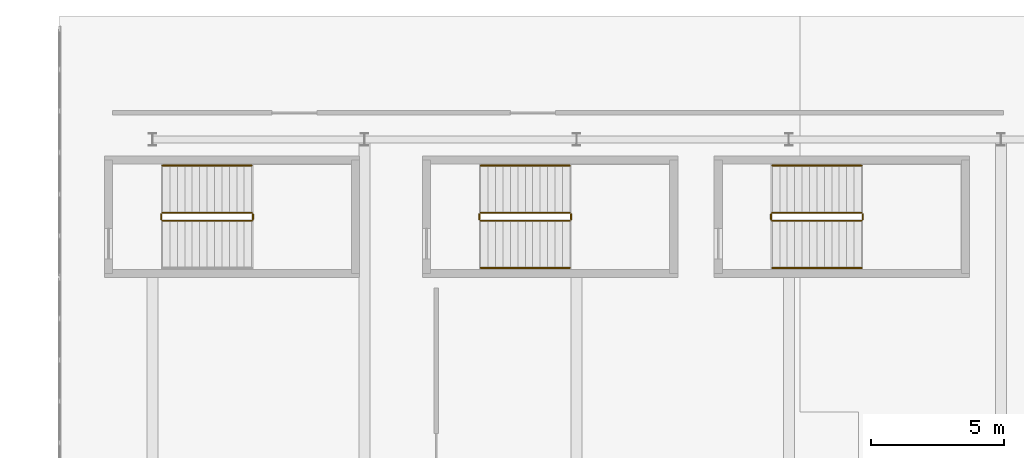
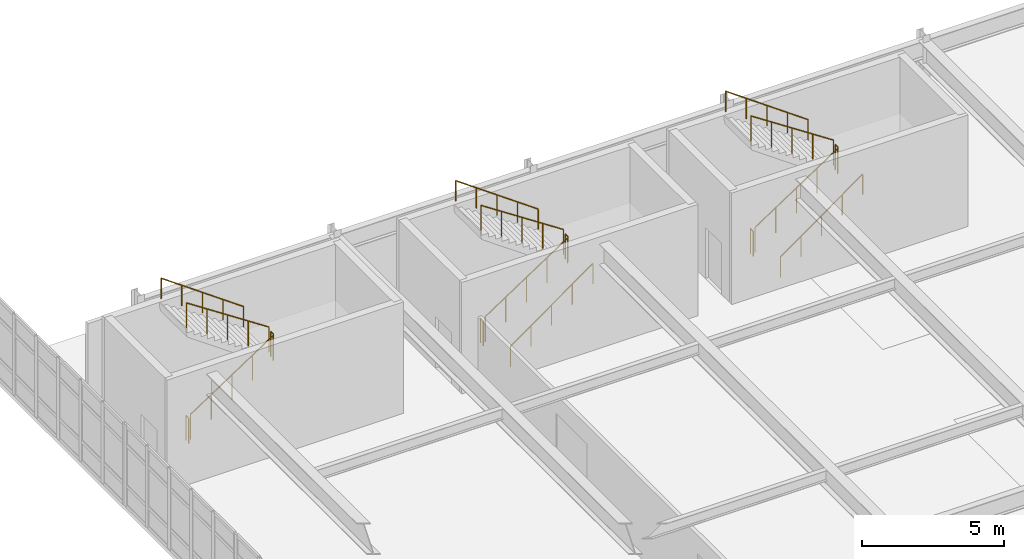
# One storey, part 51 of 54: 17 railings.
"""IFC4 building model written with IfcOpenShell, lengths in metres."""

from ifc_helpers import new_model, si_unit, direction, frame, origin, origin_2d, place, context, subcontext, project, spatial, circle, extrude, material, type_object, element, save


model = new_model("IFC4")

# Units and contexts
model_context = context("Model", 3, precision=1e-05, world=origin(), true_north=direction((0.0, 1.0)))
body_context = subcontext(model_context, "Body", "Model", "MODEL_VIEW")
ifc_project = project(units=[si_unit("LENGTHUNIT", "METRE"), si_unit("AREAUNIT", "SQUARE_METRE"), si_unit("VOLUMEUNIT", "CUBIC_METRE"), si_unit("PLANEANGLEUNIT", "RADIAN"), si_unit("MASSUNIT", "GRAM", prefix="KILO")], contexts=[model_context])

# Site, building, storey
site_placement = place(None, origin())
site = spatial("IfcSite", under=ifc_project, at=site_placement, CompositionType="ELEMENT")
building_placement = place(site_placement, origin())
building = spatial("IfcBuilding", under=site, at=building_placement, Name="Tlacozan Convention Centre", CompositionType="ELEMENT")
storey_placement = place(building_placement, frame((0.0, 0.0, 11.39990234375)))
storey = spatial("IfcBuildingStorey", under=building, at=storey_placement, Name="L02", CompositionType="ELEMENT", Elevation=11.39990234375)

# Railings
ifc_material = material(Name="Architectural Painted Galvanised Steel Railing", Category="steel")
railing_type_1 = type_object("IfcRailingType", Name="Stair Wall Handrail 900", PredefinedType="HANDRAIL", material=ifc_material)
railing_1_placement = place(storey_placement, frame((95.239990234375, 56.2099609375, 2.584716796875)))
element("IfcRailing", 1, at=railing_1_placement, inside=storey, type_object=railing_type_1, Name="L02 ST-06 stair handrail 2", PredefinedType="HANDRAIL", context=body_context, shape_type="SweptSolid", body=[
    extrude(circle(Radius=0.02392578125, at=origin_2d()), frame((0.0, 0.0, 0.8759765625), z_axis=(-0.813753445783, 0.0, 0.581210228297), x_axis=(0.0, -1.0, 0.0)), (0.0, 0.0, 1.0), 4.129150390625),
    extrude(circle(Radius=0.02099609375, at=origin_2d()), origin(), (0.0, 0.0, 1.0), 0.851806640625),
    extrude(circle(Radius=0.02099609375, at=origin_2d()), frame((-0.840087890625, 0.0, 0.60009765625)), (0.0, 0.0, 1.0), 0.851806640625),
    extrude(circle(Radius=0.02099609375, at=origin_2d()), frame((-1.68017578125, 0.0, 1.199951171875)), (0.0, 0.0, 1.0), 0.851806640625),
    extrude(circle(Radius=0.02099609375, at=origin_2d()), frame((-2.52001953125, 0.0, 1.7998046875)), (0.0, 0.0, 1.0), 0.851806640625),
    extrude(circle(Radius=0.02099609375, at=origin_2d()), frame((-3.360107421875, 0.0, 2.39990234375)), (0.0, 0.0, 1.0), 0.851806640625),
])
railing_2_placement = place(storey_placement, frame((103.8798828125, 52.35009765625, 0.184814453125)))
element("IfcRailing", 2, at=railing_2_placement, inside=storey, type_object=railing_type_1, Name="L02 ST-17 stair handrail 1", PredefinedType="HANDRAIL", context=body_context, shape_type="SweptSolid", body=[
    extrude(circle(Radius=0.02392578125, at=origin_2d()), frame((0.0, 0.0, 0.8759765625), z_axis=(0.813753445783, 0.0, 0.581210228297), x_axis=(0.0, 1.0, 0.0)), (0.0, 0.0, 1.0), 4.129150390625),
    extrude(circle(Radius=0.02099609375, at=origin_2d()), origin(), (0.0, 0.0, 1.0), 0.851806640625),
    extrude(circle(Radius=0.02099609375, at=origin_2d()), frame((0.840087890625, 0.0, 0.60009765625)), (0.0, 0.0, 1.0), 0.851806640625),
    extrude(circle(Radius=0.02099609375, at=origin_2d()), frame((1.68017578125, 0.0, 1.199951171875)), (0.0, 0.0, 1.0), 0.851806640625),
    extrude(circle(Radius=0.02099609375, at=origin_2d()), frame((2.52001953125, 0.0, 1.7998046875)), (0.0, 0.0, 1.0), 0.851806640625),
    extrude(circle(Radius=0.02099609375, at=origin_2d()), frame((3.360107421875, 0.0, 2.39990234375)), (0.0, 0.0, 1.0), 0.851806640625),
])
railing_3_placement = place(storey_placement, frame((107.239990234375, 56.2099609375, 2.584716796875)))
element("IfcRailing", 3, at=railing_3_placement, inside=storey, type_object=railing_type_1, Name="L02 ST-17 stair handrail 2", PredefinedType="HANDRAIL", context=body_context, shape_type="SweptSolid", body=[
    extrude(circle(Radius=0.02392578125, at=origin_2d()), frame((0.0, 0.0, 0.8759765625), z_axis=(-0.813753445783, 0.0, 0.581210228297), x_axis=(0.0, -1.0, 0.0)), (0.0, 0.0, 1.0), 4.129150390625),
    extrude(circle(Radius=0.02099609375, at=origin_2d()), origin(), (0.0, 0.0, 1.0), 0.851806640625),
    extrude(circle(Radius=0.02099609375, at=origin_2d()), frame((-0.840087890625, 0.0, 0.60009765625)), (0.0, 0.0, 1.0), 0.851806640625),
    extrude(circle(Radius=0.02099609375, at=origin_2d()), frame((-1.68017578125, 0.0, 1.199951171875)), (0.0, 0.0, 1.0), 0.851806640625),
    extrude(circle(Radius=0.02099609375, at=origin_2d()), frame((-2.52001953125, 0.0, 1.7998046875)), (0.0, 0.0, 1.0), 0.851806640625),
    extrude(circle(Radius=0.02099609375, at=origin_2d()), frame((-3.360107421875, 0.0, 2.39990234375)), (0.0, 0.0, 1.0), 0.851806640625),
])
railing_4_placement = place(storey_placement, frame((114.8798828125, 52.35009765625, 0.184814453125)))
element("IfcRailing", 4, at=railing_4_placement, inside=storey, type_object=railing_type_1, Name="L02 ST-18 stair handrail 1", PredefinedType="HANDRAIL", context=body_context, shape_type="SweptSolid", body=[
    extrude(circle(Radius=0.02392578125, at=origin_2d()), frame((0.0, 0.0, 0.8759765625), z_axis=(0.813753445783, 0.0, 0.581210228297), x_axis=(0.0, 1.0, 0.0)), (0.0, 0.0, 1.0), 4.129150390625),
    extrude(circle(Radius=0.02099609375, at=origin_2d()), origin(), (0.0, 0.0, 1.0), 0.851806640625),
    extrude(circle(Radius=0.02099609375, at=origin_2d()), frame((0.840087890625, 0.0, 0.60009765625)), (0.0, 0.0, 1.0), 0.851806640625),
    extrude(circle(Radius=0.02099609375, at=origin_2d()), frame((1.68017578125, 0.0, 1.199951171875)), (0.0, 0.0, 1.0), 0.851806640625),
    extrude(circle(Radius=0.02099609375, at=origin_2d()), frame((2.52001953125, 0.0, 1.7998046875)), (0.0, 0.0, 1.0), 0.851806640625),
    extrude(circle(Radius=0.02099609375, at=origin_2d()), frame((3.360107421875, 0.0, 2.39990234375)), (0.0, 0.0, 1.0), 0.851806640625),
])
railing_5_placement = place(storey_placement, frame((118.239990234375, 56.2099609375, 2.584716796875)))
element("IfcRailing", 5, at=railing_5_placement, inside=storey, type_object=railing_type_1, Name="L02 ST-18 stair handrail 2", PredefinedType="HANDRAIL", context=body_context, shape_type="SweptSolid", body=[
    extrude(circle(Radius=0.02392578125, at=origin_2d()), frame((0.0, 0.0, 0.8759765625), z_axis=(-0.813753445783, 0.0, 0.581210228297), x_axis=(0.0, -1.0, 0.0)), (0.0, 0.0, 1.0), 4.129150390625),
    extrude(circle(Radius=0.02099609375, at=origin_2d()), origin(), (0.0, 0.0, 1.0), 0.851806640625),
    extrude(circle(Radius=0.02099609375, at=origin_2d()), frame((-0.840087890625, 0.0, 0.60009765625)), (0.0, 0.0, 1.0), 0.851806640625),
    extrude(circle(Radius=0.02099609375, at=origin_2d()), frame((-1.68017578125, 0.0, 1.199951171875)), (0.0, 0.0, 1.0), 0.851806640625),
    extrude(circle(Radius=0.02099609375, at=origin_2d()), frame((-2.52001953125, 0.0, 1.7998046875)), (0.0, 0.0, 1.0), 0.851806640625),
    extrude(circle(Radius=0.02099609375, at=origin_2d()), frame((-3.360107421875, 0.0, 2.39990234375)), (0.0, 0.0, 1.0), 0.851806640625),
])
railing_type_2 = type_object("IfcRailingType", Name="Stair Well Guardrail 1100", PredefinedType="GUARDRAIL", material=ifc_material)
railing_6_placement = place(storey_placement, frame((91.8798828125, 54.1298828125, 0.184814453125)))
element("IfcRailing", 6, at=railing_6_placement, inside=storey, type_object=railing_type_2, Name="L02 ST-06 stair guard 1", PredefinedType="GUARDRAIL", context=body_context, shape_type="SweptSolid", body=[
    extrude(circle(Radius=0.02392578125, at=origin_2d()), frame((0.0, 0.0, 1.076171875), z_axis=(0.834876476806, 0.0, 0.550437342915), x_axis=(0.0, 1.0, 0.0)), (0.0, 0.0, 1.0), 4.024658203125),
    extrude(circle(Radius=0.02099609375, at=origin_2d()), origin(), (0.0, 0.0, 1.0), 1.052001953125),
    extrude(circle(Radius=0.02099609375, at=origin_2d()), frame((0.840087890625, 0.0, 0.5537109375)), (0.0, 0.0, 1.0), 1.052001953125),
    extrude(circle(Radius=0.02099609375, at=origin_2d()), frame((1.68017578125, 0.0, 1.107666015625)), (0.0, 0.0, 1.0), 1.052001953125),
    extrude(circle(Radius=0.02099609375, at=origin_2d()), frame((2.52001953125, 0.0, 1.66162109375)), (0.0, 0.0, 1.0), 1.052001953125),
    extrude(circle(Radius=0.02099609375, at=origin_2d()), frame((3.360107421875, 0.0, 2.21533203125)), (0.0, 0.0, 1.0), 1.052001953125),
])
railing_7_placement = place(storey_placement, frame((95.2900390625, 54.179931640625, 2.400146484375)))
element("IfcRailing", 7, at=railing_7_placement, inside=storey, type_object=railing_type_2, Name="L02 ST-06 stair guard 2", PredefinedType="GUARDRAIL", context=body_context, shape_type="SweptSolid", body=[
    extrude(circle(Radius=0.02392578125, at=origin_2d()), frame((0.0, 0.0, 1.076171875), z_axis=(0.0, 1.0, 0.0), x_axis=(-1.0, 0.0, 0.0)), (0.0, 0.0, 1.0), 0.199951171875),
    extrude(circle(Radius=0.02099609375, at=origin_2d()), origin(), (0.0, 0.0, 1.0), 1.052001953125),
    extrude(circle(Radius=0.02099609375, at=origin_2d()), frame((0.0, 0.199951171875, 0.0)), (0.0, 0.0, 1.0), 1.052001953125),
])
railing_8_placement = place(storey_placement, frame((95.239990234375, 54.429931640625, 2.584716796875)))
element("IfcRailing", 8, at=railing_8_placement, inside=storey, type_object=railing_type_2, Name="L02 ST-06 stair guard 3", PredefinedType="GUARDRAIL", context=body_context, shape_type="SweptSolid", body=[
    extrude(circle(Radius=0.02392578125, at=origin_2d()), frame((0.0, 0.0, 1.076171875), z_axis=(-0.834876476806, 0.0, 0.550437342915), x_axis=(0.0, -1.0, 0.0)), (0.0, 0.0, 1.0), 4.024658203125),
    extrude(circle(Radius=0.02099609375, at=origin_2d()), origin(), (0.0, 0.0, 1.0), 1.052001953125),
    extrude(circle(Radius=0.02099609375, at=origin_2d()), frame((-0.840087890625, 0.0, 0.5537109375)), (0.0, 0.0, 1.0), 1.052001953125),
    extrude(circle(Radius=0.02099609375, at=origin_2d()), frame((-1.68017578125, 0.0, 1.107666015625)), (0.0, 0.0, 1.0), 1.052001953125),
    extrude(circle(Radius=0.02099609375, at=origin_2d()), frame((-2.52001953125, 0.0, 1.66162109375)), (0.0, 0.0, 1.0), 1.052001953125),
    extrude(circle(Radius=0.02099609375, at=origin_2d()), frame((-3.360107421875, 0.0, 2.21533203125)), (0.0, 0.0, 1.0), 1.052001953125),
])
railing_9_placement = place(storey_placement, frame((91.830078125, 54.179931640625, 0.0)))
element("IfcRailing", 9, at=railing_9_placement, inside=storey, type_object=railing_type_2, Name="L02 ST-06 stair guard 4", PredefinedType="GUARDRAIL", context=body_context, shape_type="SweptSolid", body=[
    extrude(circle(Radius=0.02392578125, at=origin_2d()), frame((0.0, 0.0, 1.076171875), z_axis=(0.0, 1.0, 0.0), x_axis=(-1.0, 0.0, 0.0)), (0.0, 0.0, 1.0), 0.199951171875),
    extrude(circle(Radius=0.02099609375, at=origin_2d()), origin(), (0.0, 0.0, 1.0), 1.052001953125),
    extrude(circle(Radius=0.02099609375, at=origin_2d()), frame((0.0, 0.199951171875, 0.0)), (0.0, 0.0, 1.0), 1.052001953125),
])
railing_10_placement = place(storey_placement, frame((103.8798828125, 54.1298828125, 0.184814453125)))
element("IfcRailing", 10, at=railing_10_placement, inside=storey, type_object=railing_type_2, Name="L02 ST-17 stair guard 1", PredefinedType="GUARDRAIL", context=body_context, shape_type="SweptSolid", body=[
    extrude(circle(Radius=0.02392578125, at=origin_2d()), frame((0.0, 0.0, 1.076171875), z_axis=(0.834876476806, 0.0, 0.550437342915), x_axis=(0.0, 1.0, 0.0)), (0.0, 0.0, 1.0), 4.024658203125),
    extrude(circle(Radius=0.02099609375, at=origin_2d()), origin(), (0.0, 0.0, 1.0), 1.052001953125),
    extrude(circle(Radius=0.02099609375, at=origin_2d()), frame((0.840087890625, 0.0, 0.5537109375)), (0.0, 0.0, 1.0), 1.052001953125),
    extrude(circle(Radius=0.02099609375, at=origin_2d()), frame((1.68017578125, 0.0, 1.107666015625)), (0.0, 0.0, 1.0), 1.052001953125),
    extrude(circle(Radius=0.02099609375, at=origin_2d()), frame((2.52001953125, 0.0, 1.66162109375)), (0.0, 0.0, 1.0), 1.052001953125),
    extrude(circle(Radius=0.02099609375, at=origin_2d()), frame((3.360107421875, 0.0, 2.21533203125)), (0.0, 0.0, 1.0), 1.052001953125),
])
railing_11_placement = place(storey_placement, frame((107.2900390625, 54.179931640625, 2.400146484375)))
element("IfcRailing", 11, at=railing_11_placement, inside=storey, type_object=railing_type_2, Name="L02 ST-17 stair guard 2", PredefinedType="GUARDRAIL", context=body_context, shape_type="SweptSolid", body=[
    extrude(circle(Radius=0.02392578125, at=origin_2d()), frame((0.0, 0.0, 1.076171875), z_axis=(0.0, 1.0, 0.0), x_axis=(-1.0, 0.0, 0.0)), (0.0, 0.0, 1.0), 0.199951171875),
    extrude(circle(Radius=0.02099609375, at=origin_2d()), origin(), (0.0, 0.0, 1.0), 1.052001953125),
    extrude(circle(Radius=0.02099609375, at=origin_2d()), frame((0.0, 0.199951171875, 0.0)), (0.0, 0.0, 1.0), 1.052001953125),
])
railing_12_placement = place(storey_placement, frame((107.239990234375, 54.429931640625, 2.584716796875)))
element("IfcRailing", 12, at=railing_12_placement, inside=storey, type_object=railing_type_2, Name="L02 ST-17 stair guard 3", PredefinedType="GUARDRAIL", context=body_context, shape_type="SweptSolid", body=[
    extrude(circle(Radius=0.02392578125, at=origin_2d()), frame((0.0, 0.0, 1.076171875), z_axis=(-0.834876476806, 0.0, 0.550437342915), x_axis=(0.0, -1.0, 0.0)), (0.0, 0.0, 1.0), 4.024658203125),
    extrude(circle(Radius=0.02099609375, at=origin_2d()), origin(), (0.0, 0.0, 1.0), 1.052001953125),
    extrude(circle(Radius=0.02099609375, at=origin_2d()), frame((-0.840087890625, 0.0, 0.5537109375)), (0.0, 0.0, 1.0), 1.052001953125),
    extrude(circle(Radius=0.02099609375, at=origin_2d()), frame((-1.68017578125, 0.0, 1.107666015625)), (0.0, 0.0, 1.0), 1.052001953125),
    extrude(circle(Radius=0.02099609375, at=origin_2d()), frame((-2.52001953125, 0.0, 1.66162109375)), (0.0, 0.0, 1.0), 1.052001953125),
    extrude(circle(Radius=0.02099609375, at=origin_2d()), frame((-3.360107421875, 0.0, 2.21533203125)), (0.0, 0.0, 1.0), 1.052001953125),
])
railing_13_placement = place(storey_placement, frame((103.830078125, 54.179931640625, 0.0)))
element("IfcRailing", 13, at=railing_13_placement, inside=storey, type_object=railing_type_2, Name="L02 ST-17 stair guard 4", PredefinedType="GUARDRAIL", context=body_context, shape_type="SweptSolid", body=[
    extrude(circle(Radius=0.02392578125, at=origin_2d()), frame((0.0, 0.0, 1.076171875), z_axis=(0.0, 1.0, 0.0), x_axis=(-1.0, 0.0, 0.0)), (0.0, 0.0, 1.0), 0.199951171875),
    extrude(circle(Radius=0.02099609375, at=origin_2d()), origin(), (0.0, 0.0, 1.0), 1.052001953125),
    extrude(circle(Radius=0.02099609375, at=origin_2d()), frame((0.0, 0.199951171875, 0.0)), (0.0, 0.0, 1.0), 1.052001953125),
])
railing_14_placement = place(storey_placement, frame((114.8798828125, 54.1298828125, 0.184814453125)))
element("IfcRailing", 14, at=railing_14_placement, inside=storey, type_object=railing_type_2, Name="L02 ST-18 stair guard 1", PredefinedType="GUARDRAIL", context=body_context, shape_type="SweptSolid", body=[
    extrude(circle(Radius=0.02392578125, at=origin_2d()), frame((0.0, 0.0, 1.076171875), z_axis=(0.834876476806, 0.0, 0.550437342915), x_axis=(0.0, 1.0, 0.0)), (0.0, 0.0, 1.0), 4.024658203125),
    extrude(circle(Radius=0.02099609375, at=origin_2d()), origin(), (0.0, 0.0, 1.0), 1.052001953125),
    extrude(circle(Radius=0.02099609375, at=origin_2d()), frame((0.840087890625, 0.0, 0.5537109375)), (0.0, 0.0, 1.0), 1.052001953125),
    extrude(circle(Radius=0.02099609375, at=origin_2d()), frame((1.68017578125, 0.0, 1.107666015625)), (0.0, 0.0, 1.0), 1.052001953125),
    extrude(circle(Radius=0.02099609375, at=origin_2d()), frame((2.52001953125, 0.0, 1.66162109375)), (0.0, 0.0, 1.0), 1.052001953125),
    extrude(circle(Radius=0.02099609375, at=origin_2d()), frame((3.360107421875, 0.0, 2.21533203125)), (0.0, 0.0, 1.0), 1.052001953125),
])
railing_15_placement = place(storey_placement, frame((118.2900390625, 54.179931640625, 2.400146484375)))
element("IfcRailing", 15, at=railing_15_placement, inside=storey, type_object=railing_type_2, Name="L02 ST-18 stair guard 2", PredefinedType="GUARDRAIL", context=body_context, shape_type="SweptSolid", body=[
    extrude(circle(Radius=0.02392578125, at=origin_2d()), frame((0.0, 0.0, 1.076171875), z_axis=(0.0, 1.0, 0.0), x_axis=(-1.0, 0.0, 0.0)), (0.0, 0.0, 1.0), 0.199951171875),
    extrude(circle(Radius=0.02099609375, at=origin_2d()), origin(), (0.0, 0.0, 1.0), 1.052001953125),
    extrude(circle(Radius=0.02099609375, at=origin_2d()), frame((0.0, 0.199951171875, 0.0)), (0.0, 0.0, 1.0), 1.052001953125),
])
railing_16_placement = place(storey_placement, frame((118.239990234375, 54.429931640625, 2.584716796875)))
element("IfcRailing", 16, at=railing_16_placement, inside=storey, type_object=railing_type_2, Name="L02 ST-18 stair guard 3", PredefinedType="GUARDRAIL", context=body_context, shape_type="SweptSolid", body=[
    extrude(circle(Radius=0.02392578125, at=origin_2d()), frame((0.0, 0.0, 1.076171875), z_axis=(-0.834876476806, 0.0, 0.550437342915), x_axis=(0.0, -1.0, 0.0)), (0.0, 0.0, 1.0), 4.024658203125),
    extrude(circle(Radius=0.02099609375, at=origin_2d()), origin(), (0.0, 0.0, 1.0), 1.052001953125),
    extrude(circle(Radius=0.02099609375, at=origin_2d()), frame((-0.840087890625, 0.0, 0.5537109375)), (0.0, 0.0, 1.0), 1.052001953125),
    extrude(circle(Radius=0.02099609375, at=origin_2d()), frame((-1.68017578125, 0.0, 1.107666015625)), (0.0, 0.0, 1.0), 1.052001953125),
    extrude(circle(Radius=0.02099609375, at=origin_2d()), frame((-2.52001953125, 0.0, 1.66162109375)), (0.0, 0.0, 1.0), 1.052001953125),
    extrude(circle(Radius=0.02099609375, at=origin_2d()), frame((-3.360107421875, 0.0, 2.21533203125)), (0.0, 0.0, 1.0), 1.052001953125),
])
railing_17_placement = place(storey_placement, frame((114.830078125, 54.179931640625, 0.0)))
element("IfcRailing", 17, at=railing_17_placement, inside=storey, type_object=railing_type_2, Name="L02 ST-18 stair guard 4", PredefinedType="GUARDRAIL", context=body_context, shape_type="SweptSolid", body=[
    extrude(circle(Radius=0.02392578125, at=origin_2d()), frame((0.0, 0.0, 1.076171875), z_axis=(0.0, 1.0, 0.0), x_axis=(-1.0, 0.0, 0.0)), (0.0, 0.0, 1.0), 0.199951171875),
    extrude(circle(Radius=0.02099609375, at=origin_2d()), origin(), (0.0, 0.0, 1.0), 1.052001953125),
    extrude(circle(Radius=0.02099609375, at=origin_2d()), frame((0.0, 0.199951171875, 0.0)), (0.0, 0.0, 1.0), 1.052001953125),
])

save(model, "model.ifc")
